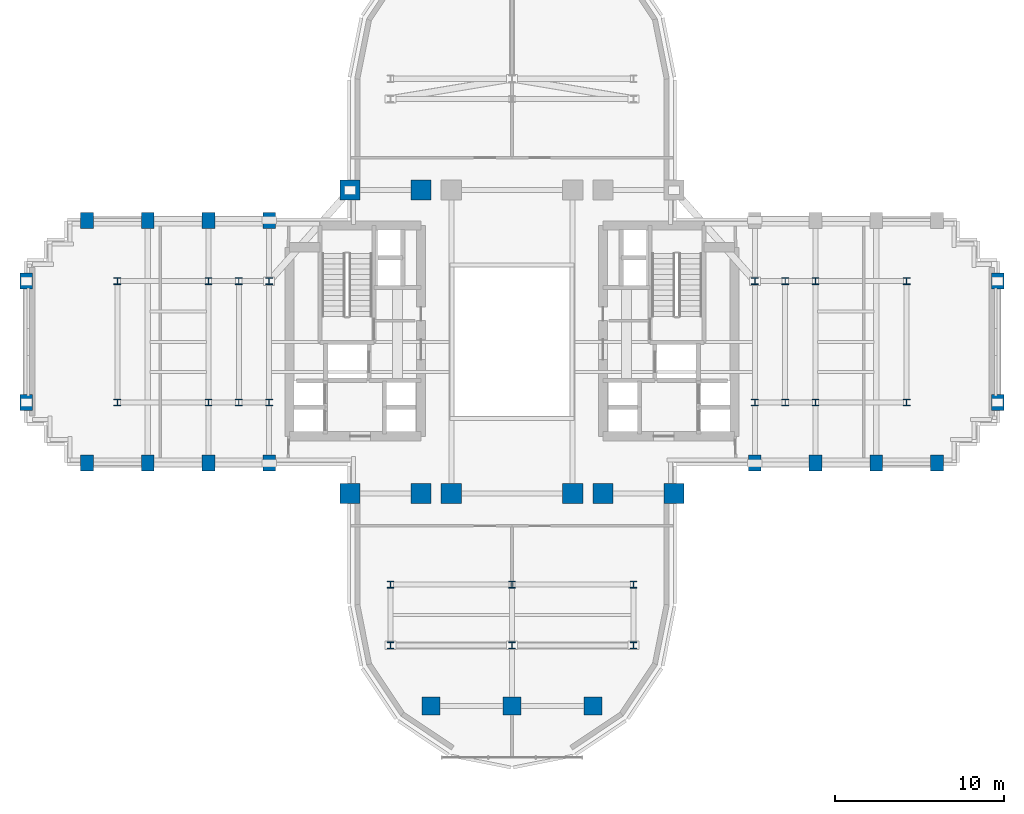
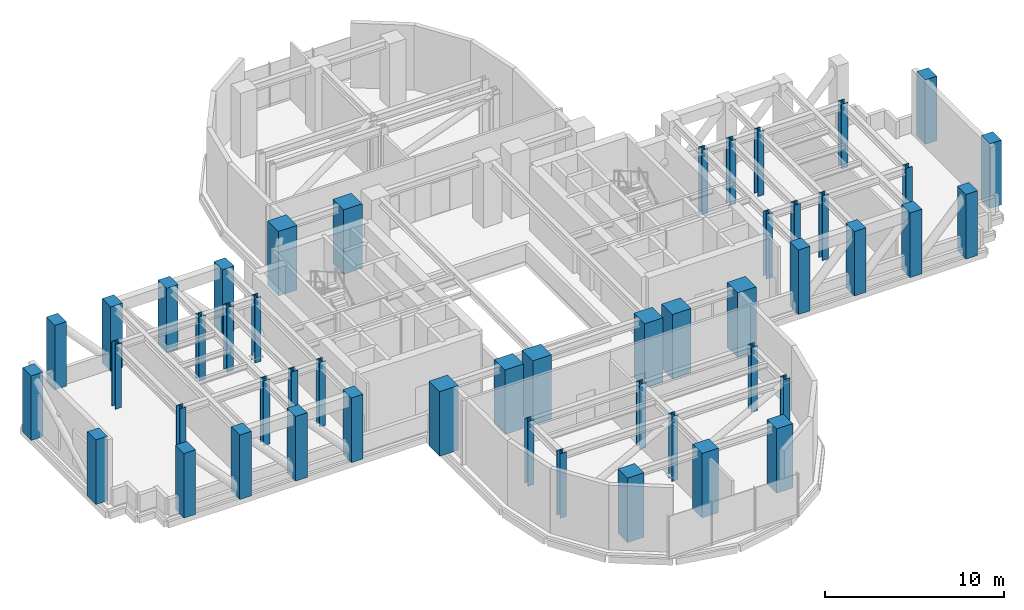
# One storey, part 1 of 15: 49 columns.
"""IFC4 building model written with IfcOpenShell, lengths in metres."""

from ifc_helpers import new_model, si_unit, direction, frame, origin, origin_2d, place, context, subcontext, project, spatial, rectangle, i_section, extrude, source, transform, mapped, material, material_profile, profile_set, type_object, element, save


model = new_model("IFC4")

# Units and contexts
model_context = context("Model", 3, precision=1e-05, world=origin(), true_north=direction((0.0, 1.0)))
body_context = subcontext(model_context, "Body", "Model", "MODEL_VIEW")
ifc_project = project(units=[si_unit("LENGTHUNIT", "METRE"), si_unit("AREAUNIT", "SQUARE_METRE"), si_unit("VOLUMEUNIT", "CUBIC_METRE"), si_unit("PLANEANGLEUNIT", "RADIAN"), si_unit("MASSUNIT", "GRAM", prefix="KILO")], contexts=[model_context])

# Site, building, storey
site_placement = place(None, origin())
site = spatial("IfcSite", under=ifc_project, at=site_placement, CompositionType="ELEMENT")
building_placement = place(site_placement, origin())
building = spatial("IfcBuilding", under=site, at=building_placement, Name="Keilestroom Media Tower", CompositionType="ELEMENT")
storey_placement = place(building_placement, frame((0.0, 0.0, 88.39990234375)))
storey = spatial("IfcBuildingStorey", under=building, at=storey_placement, Name="L23", CompositionType="ELEMENT", Elevation=88.39990234375)

# Columns
ifc_material_1 = material(Name="Precast concrete C40/50", Category="concrete")
ifc_material_profile_1 = material_profile(ifc_material_1, rectangle(XDim=0.75, YDim=0.949951171875, at=origin_2d()), Name="PC 950x750")
ifc_profile_set_1 = profile_set([ifc_material_profile_1], Name="Precast concrete C40/50")
column_type_1 = type_object("IfcColumnType", Name="Structural-Column-PC-950x750", PredefinedType="COLUMN", material=ifc_profile_set_1)
shared_shape_1 = source(origin(), body_context, "Body", "SweptSolid", [
    extrude(rectangle(XDim=0.75, YDim=0.949951171875, at=origin_2d()), origin(), (0.0, 0.0, 1.0), 4.400146484375),
])
for number, where, z_axis, x_axis, name in (
    (1, (-28.800048828125, -3.60009765625, 0.0), (0.0, 0.0, 1.0), (1.0, 0.0, 0.0), "L23 Column PC-1 (-28.8,-3.6)"),
    (2, (-28.800048828125, 3.60009765625, 0.0), (0.0, 0.0, 1.0), (1.0, 0.0, 0.0), "L23 Column PC-1 (-28.8,+3.6)"),
    (3, (-25.199951171875, -7.199951171875, 0.0), (0.0, 0.0, 1.0), (1.0, 0.0, 0.0), "L23 Column PC-1 (-25.2,-7.2)"),
    (4, (-25.199951171875, 7.199951171875, 0.0), (0.0, 0.0, 1.0), (1.0, 0.0, 0.0), "L23 Column PC-1 (-25.2,+7.2)"),
    (5, (-21.60009765625, -7.199951171875, 0.0), (0.0, 0.0, 1.0), (1.0, 0.0, 0.0), "L23 Column PC-1 (-21.6,-7.2)"),
    (6, (-21.60009765625, 7.199951171875, 0.0), (0.0, 0.0, 1.0), (1.0, 0.0, 0.0), "L23 Column PC-1 (-21.6,+7.2)"),
    (7, (-18.0, -7.199951171875, 0.0), (0.0, 0.0, 1.0), (1.0, 0.0, 0.0), "L23 Column PC-1 (-18.0,-7.2)"),
    (8, (-18.0, 7.199951171875, 0.0), (0.0, 0.0, 1.0), (1.0, 0.0, 0.0), "L23 Column PC-1 (-18.0,+7.2)"),
    (9, (-14.39990234375, -7.199951171875, 0.0), (0.0, 0.0, 1.0), (1.0, 0.0, 0.0), "L23 Column PC-1 (-14.4,-7.2)"),
    (10, (-14.39990234375, 7.199951171875, 0.0), (0.0, 0.0, 1.0), (1.0, 0.0, 0.0), "L23 Column PC-1 (-14.4,+7.2)"),
    (11, (14.39990234375, -7.199951171875, 0.0), (0.0, 0.0, 1.0), (1.0, 0.0, 0.0), "L23 Column PC-1 (+14.4,-7.2)"),
    (12, (18.0, -7.199951171875, 0.0), (0.0, 0.0, 1.0), (1.0, 0.0, 0.0), "L23 Column PC-1 (+18.0,-7.2)"),
    (13, (21.60009765625, -7.199951171875, 0.0), (0.0, 0.0, 1.0), (1.0, 0.0, 0.0), "L23 Column PC-1 (+21.6,-7.2)"),
    (14, (25.199951171875, -7.199951171875, 0.0), (0.0, 0.0, 1.0), (1.0, 0.0, 0.0), "L23 Column PC-1 (+25.2,-7.2)"),
    (15, (28.800048828125, -3.60009765625, 0.0), (0.0, 0.0, 1.0), (1.0, 0.0, 0.0), "L23 Column PC-1 (+28.8,-3.6)"),
    (16, (28.800048828125, 3.60009765625, 0.0), (0.0, 0.0, 1.0), (1.0, 0.0, 0.0), "L23 Column PC-1 (+28.8,+3.6)"),
):
    element("IfcColumn", number, at=place(storey_placement, frame(where, z_axis=z_axis, x_axis=x_axis)), inside=storey, type_object=column_type_1, Name=name, PredefinedType="COLUMN", context=body_context, shape_type="MappedRepresentation", body=[
        mapped(shared_shape_1, transform((0.0, 0.0, 0.0), x_axis=(1.0, 0.0, 0.0), y_axis=(0.0, 1.0, 0.0), z_axis=(0.0, 0.0, 1.0), scale=1.0)),
    ])
ifc_material_2 = material(Name="Steel S460", Category="steel")
ifc_material_profile_2 = material_profile(ifc_material_2, i_section(OverallWidth=0.404052734375, OverallDepth=0.406982421875, WebThickness=0.02197265625, FlangeThickness=0.035400390625, at=origin_2d()), Name="HD 400x347")
ifc_profile_set_2 = profile_set([ifc_material_profile_2], Name="Steel S460")
column_type_2 = type_object("IfcColumnType", Name="Structural-Column-HD-400x347", PredefinedType="COLUMN", material=ifc_profile_set_2)
shared_shape_2 = source(origin(), body_context, "Body", "SweptSolid", [
    extrude(i_section(OverallWidth=0.404052734375, OverallDepth=0.406982421875, WebThickness=0.02197265625, FlangeThickness=0.035400390625, at=origin_2d()), origin(), (0.0, 0.0, 1.0), 4.400146484375),
])
for number, where, z_axis, x_axis, name in (
    (17, (-23.39990234375, -3.60009765625, 0.0), (0.0, 0.0, 1.0), (1.0, 0.0, 0.0), "L23 Column SC-2 (-23.4,-3.6)"),
    (18, (-23.39990234375, 3.60009765625, 0.0), (0.0, 0.0, 1.0), (1.0, 0.0, 0.0), "L23 Column SC-2 (-23.4,+3.6)"),
    (19, (-18.0, -3.60009765625, 0.0), (0.0, 0.0, 1.0), (1.0, 0.0, 0.0), "L23 Column SC-2 (-18.0,-3.6)"),
    (20, (-18.0, 3.60009765625, 0.0), (0.0, 0.0, 1.0), (1.0, 0.0, 0.0), "L23 Column SC-2 (-18.0,+3.6)"),
    (21, (-16.199951171875, -3.60009765625, 0.0), (0.0, 0.0, 1.0), (1.0, 0.0, 0.0), "L23 Column SC-2 (-16.2,-3.6)"),
    (22, (-16.199951171875, 3.60009765625, 0.0), (0.0, 0.0, 1.0), (1.0, 0.0, 0.0), "L23 Column SC-2 (-16.2,+3.6)"),
    (23, (-14.39990234375, -3.60009765625, 0.0), (0.0, 0.0, 1.0), (1.0, 0.0, 0.0), "L23 Column SC-2 (-14.4,-3.6)"),
    (24, (-14.39990234375, 3.60009765625, 0.0), (0.0, 0.0, 1.0), (1.0, 0.0, 0.0), "L23 Column SC-2 (-14.4,+3.6)"),
    (25, (-7.199951171875, -18.0, 0.0), (0.0, 0.0, 1.0), (1.0, 0.0, 0.0), "L23 Column SC-2 (-7.2,-18.0)"),
    (26, (-7.199951171875, -14.39990234375, 0.0), (0.0, 0.0, 1.0), (1.0, 0.0, 0.0), "L23 Column SC-2 (-7.2,-14.4)"),
    (27, (0.0, -18.0, 0.0), (0.0, 0.0, 1.0), (1.0, 0.0, 0.0), "L23 Column SC-2 (+0.0,-18.0)"),
    (28, (0.0, -14.39990234375, 0.0), (0.0, 0.0, 1.0), (1.0, 0.0, 0.0), "L23 Column SC-2 (+0.0,-14.4)"),
    (29, (7.199951171875, -18.0, 0.0), (0.0, 0.0, 1.0), (1.0, 0.0, 0.0), "L23 Column SC-2 (+7.2,-18.0)"),
    (30, (7.199951171875, -14.39990234375, 0.0), (0.0, 0.0, 1.0), (1.0, 0.0, 0.0), "L23 Column SC-2 (+7.2,-14.4)"),
    (31, (14.39990234375, -3.60009765625, 0.0), (0.0, 0.0, 1.0), (1.0, 0.0, 0.0), "L23 Column SC-2 (+14.4,-3.6)"),
    (32, (14.39990234375, 3.60009765625, 0.0), (0.0, 0.0, 1.0), (1.0, 0.0, 0.0), "L23 Column SC-2 (+14.4,+3.6)"),
    (33, (16.199951171875, -3.60009765625, 0.0), (0.0, 0.0, 1.0), (1.0, 0.0, 0.0), "L23 Column SC-2 (+16.2,-3.6)"),
    (34, (16.199951171875, 3.60009765625, 0.0), (0.0, 0.0, 1.0), (1.0, 0.0, 0.0), "L23 Column SC-2 (+16.2,+3.6)"),
    (35, (18.0, -3.60009765625, 0.0), (0.0, 0.0, 1.0), (1.0, 0.0, 0.0), "L23 Column SC-2 (+18.0,-3.6)"),
    (36, (18.0, 3.60009765625, 0.0), (0.0, 0.0, 1.0), (1.0, 0.0, 0.0), "L23 Column SC-2 (+18.0,+3.6)"),
    (37, (23.39990234375, -3.60009765625, 0.0), (0.0, 0.0, 1.0), (1.0, 0.0, 0.0), "L23 Column SC-2 (+23.4,-3.6)"),
    (38, (23.39990234375, 3.60009765625, 0.0), (0.0, 0.0, 1.0), (1.0, 0.0, 0.0), "L23 Column SC-2 (+23.4,+3.6)"),
):
    element("IfcColumn", number, at=place(storey_placement, frame(where, z_axis=z_axis, x_axis=x_axis)), inside=storey, type_object=column_type_2, Name=name, PredefinedType="COLUMN", context=body_context, shape_type="MappedRepresentation", body=[
        mapped(shared_shape_2, transform((0.0, 0.0, 0.0), x_axis=(1.0, 0.0, 0.0), y_axis=(0.0, 1.0, 0.0), z_axis=(0.0, 0.0, 1.0), scale=1.0)),
    ])
ifc_material_3 = material(Name="Concrete C70/85", Category="concrete")
ifc_material_profile_3 = material_profile(ifc_material_3, rectangle(XDim=1.199951171875, YDim=1.199951171875, at=origin_2d()), Name="RC 1200x1200")
ifc_profile_set_3 = profile_set([ifc_material_profile_3], Name="Concrete C70/85")
column_type_3 = type_object("IfcColumnType", Name="Structural-Column-RC-1200x1200", PredefinedType="COLUMN", material=ifc_profile_set_3)
shared_shape_3 = source(origin(), body_context, "Body", "SweptSolid", [
    extrude(rectangle(XDim=1.199951171875, YDim=1.199951171875, at=origin_2d()), origin(), (0.0, 0.0, 1.0), 4.400146484375),
])
for number, where, z_axis, x_axis, name in (
    (39, (-9.60009765625, -9.0, 0.0), (0.0, 0.0, 1.0), (1.0, 0.0, 0.0), "L23 Column MC-2 (-9.6,-9.0)"),
    (40, (-9.60009765625, 9.0, 0.0), (0.0, 0.0, 1.0), (1.0, 0.0, 0.0), "L23 Column MC-2 (-9.6,+9.0)"),
    (41, (-5.39990234375, -9.0, 0.0), (0.0, 0.0, 1.0), (1.0, 0.0, 0.0), "L23 Column MC-2 (-5.4,-9.0)"),
    (42, (-5.39990234375, 9.0, 0.0), (0.0, 0.0, 1.0), (1.0, 0.0, 0.0), "L23 Column MC-2 (-5.4,+9.0)"),
    (43, (-3.60009765625, -9.0, 0.0), (0.0, 0.0, 1.0), (1.0, 0.0, 0.0), "L23 Column MC-2 (-3.6,-9.0)"),
    (44, (3.60009765625, -9.0, 0.0), (0.0, 0.0, 1.0), (1.0, 0.0, 0.0), "L23 Column MC-2 (+3.6,-9.0)"),
    (45, (5.39990234375, -9.0, 0.0), (0.0, 0.0, 1.0), (1.0, 0.0, 0.0), "L23 Column MC-2 (+5.4,-9.0)"),
    (46, (9.60009765625, -9.0, 0.0), (0.0, 0.0, 1.0), (1.0, 0.0, 0.0), "L23 Column MC-2 (+9.6,-9.0)"),
):
    element("IfcColumn", number, at=place(storey_placement, frame(where, z_axis=z_axis, x_axis=x_axis)), inside=storey, type_object=column_type_3, Name=name, PredefinedType="COLUMN", context=body_context, shape_type="MappedRepresentation", body=[
        mapped(shared_shape_3, transform((0.0, 0.0, 0.0), x_axis=(1.0, 0.0, 0.0), y_axis=(0.0, 1.0, 0.0), z_axis=(0.0, 0.0, 1.0), scale=1.0)),
    ])
ifc_material_4 = material(Name="Concrete C55/67", Category="concrete")
ifc_material_profile_4 = material_profile(ifc_material_4, rectangle(XDim=1.050048828125, YDim=1.050048828125, at=origin_2d()), Name="RC 1050x1050")
ifc_profile_set_4 = profile_set([ifc_material_profile_4], Name="Concrete C55/67")
column_type_4 = type_object("IfcColumnType", Name="Structural-Column-RC-1050x1050", PredefinedType="COLUMN", material=ifc_profile_set_4)
shared_shape_4 = source(origin(), body_context, "Body", "SweptSolid", [
    extrude(rectangle(XDim=1.050048828125, YDim=1.050048828125, at=origin_2d()), origin(), (0.0, 0.0, 1.0), 4.400146484375),
])
for number, where, z_axis, x_axis, name in (
    (47, (-4.800048828125, -21.60009765625, 0.0), (0.0, 0.0, 1.0), (1.0, 0.0, 0.0), "L23 Column MC-3 (-4.8,-21.6)"),
    (48, (0.0, -21.60009765625, 0.0), (0.0, 0.0, 1.0), (1.0, 0.0, 0.0), "L23 Column MC-3 (+0.0,-21.6)"),
    (49, (4.800048828125, -21.60009765625, 0.0), (0.0, 0.0, 1.0), (1.0, 0.0, 0.0), "L23 Column MC-3 (+4.8,-21.6)"),
):
    element("IfcColumn", number, at=place(storey_placement, frame(where, z_axis=z_axis, x_axis=x_axis)), inside=storey, type_object=column_type_4, Name=name, PredefinedType="COLUMN", context=body_context, shape_type="MappedRepresentation", body=[
        mapped(shared_shape_4, transform((0.0, 0.0, 0.0), x_axis=(1.0, 0.0, 0.0), y_axis=(0.0, 1.0, 0.0), z_axis=(0.0, 0.0, 1.0), scale=1.0)),
    ])

save(model, "model.ifc")
